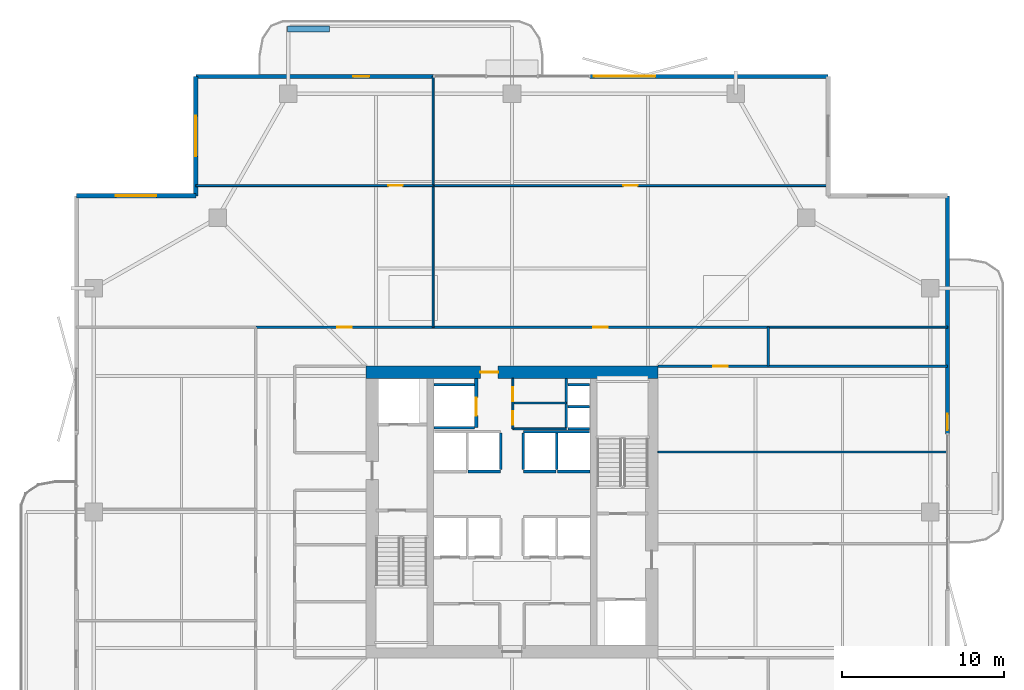
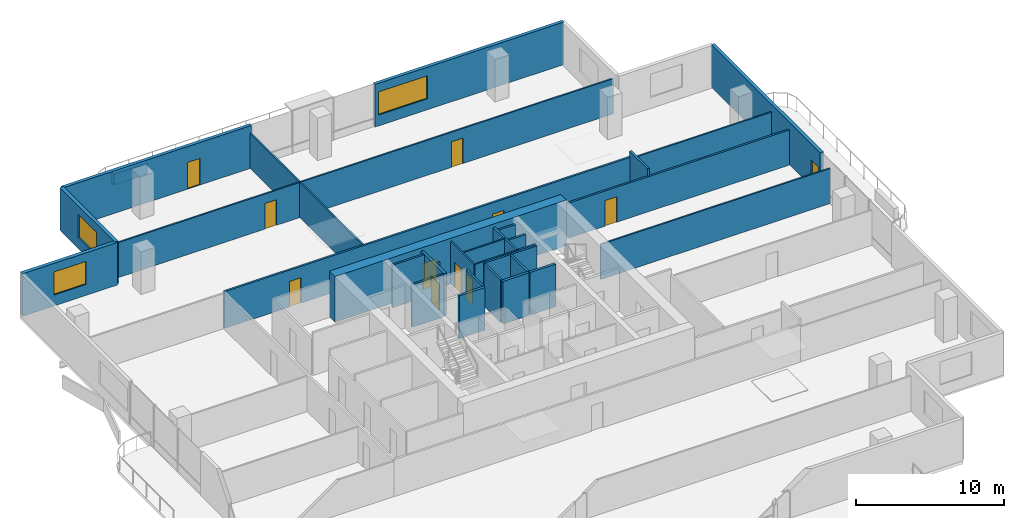
# One storey, part 19 of 24: 32 walls, 11 doors, 3 windows, 14 openings.
"""IFC4 building model written with IfcOpenShell, lengths in metres."""

from ifc_helpers import new_model, si_unit, direction, frame, frame_2d, origin, place, context, subcontext, project, spatial, rectangle, extrude, material, layer, layer_set, type_object, element, fill, save


model = new_model("IFC4")

# Units and contexts
model_context = context("Model", 3, precision=1e-05, world=origin(), true_north=direction((0.0, 1.0)))
body_context = subcontext(model_context, "Body", "Model", "MODEL_VIEW")
ifc_project = project(units=[si_unit("LENGTHUNIT", "METRE"), si_unit("AREAUNIT", "SQUARE_METRE"), si_unit("VOLUMEUNIT", "CUBIC_METRE"), si_unit("PLANEANGLEUNIT", "RADIAN"), si_unit("MASSUNIT", "GRAM", prefix="KILO")], contexts=[model_context])

# Site, building, storey
site_placement = place(None, origin())
site = spatial("IfcSite", under=ifc_project, at=site_placement, CompositionType="ELEMENT")
building_placement = place(site_placement, origin())
building = spatial("IfcBuilding", under=site, at=building_placement, Name="Belovzor Exchange Tower", CompositionType="ELEMENT")
storey_placement = place(building_placement, frame((0.0, 0.0, 222.449951171875)))
storey = spatial("IfcBuildingStorey", under=building, at=storey_placement, Name="L55", CompositionType="ELEMENT", Elevation=222.449951171875)

# Wall, opening, door
ifc_material_1 = material(Name="Acoustic Plasterboard on Galvanised Studs", Category="gypsum")
ifc_layer_1 = layer(ifc_material_1, 0.1201171875)
ifc_layer_set_1 = layer_set([ifc_layer_1], Name="Acoustic Plasterboard on Galvanised Studs")
wall_type_1 = type_object("IfcWallType", Name="Acoustic Double-Stud Partition Wall 120", PredefinedType="PARTITIONING", material=ifc_layer_set_1)
wall_1_placement = place(storey_placement, frame((9.300048828125, 48.93505859375, 0.0), z_axis=(0.0, 0.0, 1.0), x_axis=(1.0, 0.0, 0.0)))
wall_1 = element("IfcWall", 1, at=wall_1_placement, inside=storey, type_object=wall_type_1, Name="W-P120 Partition Wall W-L55-NHDIV-0", PredefinedType="PARTITIONING", context=body_context, shape_type="SweptSolid", body=[
    extrude(rectangle(XDim=14.639892578125, YDim=0.1201171875, at=frame_2d((7.31982421875, 0.0))), origin(), (0.0, 0.0, 1.0), 2.885009765625),
])
opening_1_placement = place(wall_1_placement, frame((11.873046875, 0.0, 0.0)))
opening_1 = element("IfcOpeningElement", 2, at=opening_1_placement, cuts=wall_1, Name="Opening D-INT-090", PredefinedType="OPENING", context=body_context, shape_type="SweptSolid", body=[
    extrude(rectangle(XDim=0.89990234375, YDim=2.10009765625, at=frame_2d((0.449951171875, 1.050048828125))), frame((0.0, 0.070068359375, 0.0), z_axis=(0.0, -1.0, 0.0), x_axis=(1.0, 0.0, 0.0)), (0.0, 0.0, 1.0), 0.14013671875),
])
ifc_material_2 = material(Name="Veneered Hardwood Acoustic Leaf", Category="wood")
door_type_1 = type_object("IfcDoorType", Name="Trading Suite Acoustic Single Door 900x2100", OperationType="NOTDEFINED", PredefinedType="DOOR", material=ifc_material_2)
door_1_placement = place(opening_1_placement, origin())
door_1 = element("IfcDoor", 3, at=door_1_placement, inside=storey, type_object=door_type_1, Name="D-INT-090 Trading Suite Acoustic Single Door 900x2100", OperationType="SINGLE_SWING_RIGHT", OverallHeight=2.10009765625, OverallWidth=0.89990234375, PredefinedType="DOOR", context=body_context, shape_type="SweptSolid", body=[
    extrude(rectangle(XDim=0.89990234375, YDim=2.10009765625, at=frame_2d((0.449951171875, 1.050048828125))), frame((0.0, 0.02490234375, 0.0), z_axis=(0.0, -1.0, 0.0), x_axis=(1.0, 0.0, 0.0)), (0.0, 0.0, 1.0), 0.050048828125),
])
fill(opening_1, door_1)

# Wall
wall_2_placement = place(storey_placement, frame((23.93994140625, 40.199951171875, 0.0), z_axis=(0.0, 0.0, 1.0), x_axis=(0.0, 1.0, 0.0)))
element("IfcWall", 4, at=wall_2_placement, inside=storey, type_object=wall_type_1, Name="W-P120 Partition Wall W-L55-NDIV-1", PredefinedType="PARTITIONING", context=body_context, shape_type="SweptSolid", body=[
    extrude(rectangle(XDim=15.469970703125, YDim=0.1201171875, at=frame_2d((7.73486328125, 0.0))), origin(), (0.0, 0.0, 1.0), 2.885009765625),
])

# Wall, opening, door
wall_3_placement = place(storey_placement, frame((23.93994140625, 48.93505859375, 0.0), z_axis=(0.0, 0.0, 1.0), x_axis=(1.0, 0.0, 0.0)))
wall_3 = element("IfcWall", 5, at=wall_3_placement, inside=storey, type_object=wall_type_1, Name="W-P120 Partition Wall W-L55-NHDIV-1", PredefinedType="PARTITIONING", context=body_context, shape_type="SweptSolid", body=[
    extrude(rectangle(XDim=24.360107421875, YDim=0.1201171875, at=frame_2d((12.18017578125, 0.0))), origin(), (0.0, 0.0, 1.0), 2.885009765625),
])
opening_2_placement = place(wall_3_placement, frame((11.72998046875, 0.0, 0.0)))
opening_2 = element("IfcOpeningElement", 6, at=opening_2_placement, cuts=wall_3, Name="Opening D-INT-090", PredefinedType="OPENING", context=body_context, shape_type="SweptSolid", body=[
    extrude(rectangle(XDim=0.89990234375, YDim=2.10009765625, at=frame_2d((0.449951171875, 1.050048828125))), frame((0.0, 0.070068359375, 0.0), z_axis=(0.0, -1.0, 0.0), x_axis=(1.0, 0.0, 0.0)), (0.0, 0.0, 1.0), 0.14013671875),
])
door_2_placement = place(opening_2_placement, origin())
door_2 = element("IfcDoor", 7, at=door_2_placement, inside=storey, type_object=door_type_1, Name="D-INT-090 Trading Suite Acoustic Single Door 900x2100", OperationType="SINGLE_SWING_RIGHT", OverallHeight=2.10009765625, OverallWidth=0.89990234375, PredefinedType="DOOR", context=body_context, shape_type="SweptSolid", body=[
    extrude(rectangle(XDim=0.89990234375, YDim=2.10009765625, at=frame_2d((0.449951171875, 1.050048828125))), frame((0.0, 0.02490234375, 0.0), z_axis=(0.0, -1.0, 0.0), x_axis=(1.0, 0.0, 0.0)), (0.0, 0.0, 1.0), 0.050048828125),
])
fill(opening_2, door_2)

# Walls
wall_4_placement = place(storey_placement, frame((37.800048828125, 32.5, 0.0), z_axis=(0.0, 0.0, 1.0), x_axis=(1.0, 0.0, 0.0)))
element("IfcWall", 8, at=wall_4_placement, inside=storey, type_object=wall_type_1, Name="W-P120 Partition Wall W-L55-EDIV-2", PredefinedType="PARTITIONING", context=body_context, shape_type="SweptSolid", body=[
    extrude(rectangle(XDim=17.869873046875, YDim=0.1201171875, at=frame_2d((8.93505859375, 0.0))), origin(), (0.0, 0.0, 1.0), 2.885009765625),
])
wall_5_placement = place(storey_placement, frame((44.60009765625, 40.199951171875, 0.0), z_axis=(0.0, 0.0, 1.0), x_axis=(1.0, 0.0, 0.0)))
element("IfcWall", 9, at=wall_5_placement, inside=storey, type_object=wall_type_1, Name="W-P120 Partition Wall W-L55-END-NE", PredefinedType="PARTITIONING", context=body_context, shape_type="SweptSolid", body=[
    extrude(rectangle(XDim=11.06982421875, YDim=0.1201171875, at=frame_2d((5.534912109375, 0.0))), origin(), (0.0, 0.0, 1.0), 2.885009765625),
])

# Wall, openings, doors
ifc_material_3 = material(Name="Fire-Rated Plasterboard on Galvanised Studs", Category="gypsum")
ifc_layer_2 = layer(ifc_material_3, 0.1201171875)
ifc_layer_set_2 = layer_set([ifc_layer_2], Name="Fire-Rated Plasterboard on Galvanised Studs")
wall_type_2 = type_object("IfcWallType", Name="Fire-Rated Double-Stud Partition Wall 120", PredefinedType="PARTITIONING", material=ifc_layer_set_2)
wall_6_placement = place(storey_placement, frame((28.85009765625, 33.925048828125, 0.0), z_axis=(0.0, 0.0, 1.0), x_axis=(0.0, 1.0, 0.0)))
wall_6 = element("IfcWall", 10, at=wall_6_placement, inside=storey, type_object=wall_type_2, Name="W-P120F Partition Wall W-CRV-L55-W", PredefinedType="PARTITIONING", context=body_context, shape_type="SweptSolid", body=[
    extrude(rectangle(XDim=3.125, YDim=0.1201171875, at=frame_2d((1.5625, 0.0))), origin(), (0.0, 0.0, 1.0), 3.5),
])
opening_3_placement = place(wall_6_placement, frame((0.25, 0.0, 0.0)))
opening_3 = element("IfcOpeningElement", 11, at=opening_3_placement, cuts=wall_6, Name="Opening D-FD60-085", PredefinedType="OPENING", context=body_context, shape_type="SweptSolid", body=[
    extrude(rectangle(XDim=0.85009765625, YDim=2.10009765625, at=frame_2d((0.425048828125, 1.050048828125))), frame((0.0, 0.070068359375, 0.0), z_axis=(0.0, -1.0, 0.0), x_axis=(1.0, 0.0, 0.0)), (0.0, 0.0, 1.0), 0.14013671875),
])
opening_4_placement = place(wall_6_placement, frame((1.719970703125, 0.0, 0.0)))
opening_4 = element("IfcOpeningElement", 12, at=opening_4_placement, cuts=wall_6, Name="Opening D-FD60-085", PredefinedType="OPENING", context=body_context, shape_type="SweptSolid", body=[
    extrude(rectangle(XDim=0.85009765625, YDim=2.10009765625, at=frame_2d((0.425048828125, 1.050048828125))), frame((0.0, 0.070068359375, 0.0), z_axis=(0.0, -1.0, 0.0), x_axis=(1.0, 0.0, 0.0)), (0.0, 0.0, 1.0), 0.14013671875),
])
ifc_material_4 = material(Name="Fire-Rated Steel Access Leaf", Category="steel")
door_type_2 = type_object("IfcDoorType", Name="Riser & Meter Closet Access Fire Door 850x2100", OperationType="NOTDEFINED", PredefinedType="DOOR", material=ifc_material_4)
door_3_placement = place(opening_3_placement, origin())
door_3 = element("IfcDoor", 13, at=door_3_placement, inside=storey, type_object=door_type_2, Name="D-FD60-085 Riser & Meter Closet Access Fire Door 850x2100", OperationType="SINGLE_SWING_LEFT", OverallHeight=2.10009765625, OverallWidth=0.85009765625, PredefinedType="DOOR", context=body_context, shape_type="SweptSolid", body=[
    extrude(rectangle(XDim=0.85009765625, YDim=2.10009765625, at=frame_2d((0.425048828125, 1.050048828125))), frame((0.0, 0.02490234375, 0.0), z_axis=(0.0, -1.0, 0.0), x_axis=(1.0, 0.0, 0.0)), (0.0, 0.0, 1.0), 0.050048828125),
])
fill(opening_3, door_3)
door_4_placement = place(opening_4_placement, origin())
door_4 = element("IfcDoor", 14, at=door_4_placement, inside=storey, type_object=door_type_2, Name="D-FD60-085 Riser & Meter Closet Access Fire Door 850x2100", OperationType="SINGLE_SWING_RIGHT", OverallHeight=2.10009765625, OverallWidth=0.85009765625, PredefinedType="DOOR", context=body_context, shape_type="SweptSolid", body=[
    extrude(rectangle(XDim=0.85009765625, YDim=2.10009765625, at=frame_2d((0.425048828125, 1.050048828125))), frame((0.0, 0.02490234375, 0.0), z_axis=(0.0, -1.0, 0.0), x_axis=(1.0, 0.0, 0.0)), (0.0, 0.0, 1.0), 0.050048828125),
])
fill(opening_4, door_4)

# Walls
for number, where, z_axis, x_axis, name in (
    (15, (28.85009765625, 35.52490234375, 0.0), (0.0, 0.0, 1.0), (1.0, 0.0, 0.0), "W-P120F Partition Wall W-CRV-L55-M"),
    (16, (28.85009765625, 33.925048828125, 0.0), (0.0, 0.0, 1.0), (1.0, 0.0, 0.0), "W-P120F Partition Wall W-CRV-L55-S"),
):
    element("IfcWall", number, at=place(storey_placement, frame(where, z_axis=z_axis, x_axis=x_axis)), inside=storey, type_object=wall_type_2, Name=name, PredefinedType="PARTITIONING", context=body_context, shape_type="SweptSolid", body=[
        extrude(rectangle(XDim=3.2998046875, YDim=0.1201171875, at=frame_2d((1.64990234375, 0.0))), origin(), (0.0, 0.0, 1.0), 3.5),
    ])
ifc_material_5 = material(Name="Fire-Rated Gypsum Block and Mineral Wool", Category="gypsum")
ifc_layer_3 = layer(ifc_material_5, 0.14990234375)
ifc_layer_set_3 = layer_set([ifc_layer_3], Name="Fire-Rated Gypsum Block and Mineral Wool")
wall_type_3 = type_object("IfcWallType", Name="Fire-Rated Gypsum Block Corridor Wall 150", PredefinedType="PARTITIONING", material=ifc_layer_set_3)
wall_7_placement = place(storey_placement, frame((44.60009765625, 37.800048828125, 0.0), z_axis=(0.0, 0.0, 1.0), x_axis=(0.0, 1.0, 0.0)))
element("IfcWall", 17, at=wall_7_placement, inside=storey, type_object=wall_type_3, Name="W-P150 Partition Wall W-L55-END-EN", PredefinedType="PARTITIONING", context=body_context, shape_type="SweptSolid", body=[
    extrude(rectangle(XDim=2.39990234375, YDim=0.14990234375, at=frame_2d((1.199951171875, 0.0))), origin(), (0.0, 0.0, 1.0), 3.5),
])

# Wall, opening, door
wall_8_placement = place(storey_placement, frame((37.800048828125, 37.800048828125, 0.0), z_axis=(0.0, 0.0, 1.0), x_axis=(1.0, 0.0, 0.0)))
wall_8 = element("IfcWall", 18, at=wall_8_placement, inside=storey, type_object=wall_type_3, Name="W-P150 Partition Wall W-L55-CN-IN", PredefinedType="PARTITIONING", context=body_context, shape_type="SweptSolid", body=[
    extrude(rectangle(XDim=17.869873046875, YDim=0.14990234375, at=frame_2d((8.93505859375, 0.0))), origin(), (0.0, 0.0, 1.0), 2.885009765625),
])
opening_5_placement = place(wall_8_placement, frame((3.39990234375, 0.0, 0.0)))
opening_5 = element("IfcOpeningElement", 19, at=opening_5_placement, cuts=wall_8, Name="Opening D-INT-090", PredefinedType="OPENING", context=body_context, shape_type="SweptSolid", body=[
    extrude(rectangle(XDim=0.89990234375, YDim=2.10009765625, at=frame_2d((0.449951171875, 1.050048828125))), frame((0.0, 0.0849609375, 0.0), z_axis=(0.0, -1.0, 0.0), x_axis=(1.0, 0.0, 0.0)), (0.0, 0.0, 1.0), 0.169921875),
])
door_5_placement = place(opening_5_placement, origin())
door_5 = element("IfcDoor", 20, at=door_5_placement, inside=storey, type_object=door_type_1, Name="D-INT-090 Trading Suite Acoustic Single Door 900x2100", OperationType="SINGLE_SWING_RIGHT", OverallHeight=2.10009765625, OverallWidth=0.89990234375, PredefinedType="DOOR", context=body_context, shape_type="SweptSolid", body=[
    extrude(rectangle(XDim=0.89990234375, YDim=2.10009765625, at=frame_2d((0.449951171875, 1.050048828125))), frame((0.0, 0.02490234375, 0.0), z_axis=(0.0, -1.0, 0.0), x_axis=(1.0, 0.0, 0.0)), (0.0, 0.0, 1.0), 0.050048828125),
])
fill(opening_5, door_5)

# Wall, openings, doors
wall_9_placement = place(storey_placement, frame((13.0, 40.199951171875, 0.0), z_axis=(0.0, 0.0, 1.0), x_axis=(1.0, 0.0, 0.0)))
wall_9 = element("IfcWall", 21, at=wall_9_placement, inside=storey, type_object=wall_type_3, Name="W-P150 Partition Wall W-L55-CN", PredefinedType="PARTITIONING", context=body_context, shape_type="SweptSolid", body=[
    extrude(rectangle(XDim=31.60009765625, YDim=0.14990234375, at=frame_2d((15.800048828125, 0.0))), origin(), (0.0, 0.0, 1.0), 3.03515625),
])
opening_6_placement = place(wall_9_placement, frame((5.02001953125, 0.0, 0.0)))
opening_6 = element("IfcOpeningElement", 22, at=opening_6_placement, cuts=wall_9, Name="Opening D-INT-090", PredefinedType="OPENING", context=body_context, shape_type="SweptSolid", body=[
    extrude(rectangle(XDim=0.89990234375, YDim=2.10009765625, at=frame_2d((0.449951171875, 1.050048828125))), frame((0.0, 0.0849609375, 0.0), z_axis=(0.0, -1.0, 0.0), x_axis=(1.0, 0.0, 0.0)), (0.0, 0.0, 1.0), 0.169921875),
])
opening_7_placement = place(wall_9_placement, frame((20.820068359375, 0.0, 0.0)))
opening_7 = element("IfcOpeningElement", 23, at=opening_7_placement, cuts=wall_9, Name="Opening D-INT-090", PredefinedType="OPENING", context=body_context, shape_type="SweptSolid", body=[
    extrude(rectangle(XDim=0.89990234375, YDim=2.10009765625, at=frame_2d((0.449951171875, 1.050048828125))), frame((0.0, 0.0849609375, 0.0), z_axis=(0.0, -1.0, 0.0), x_axis=(1.0, 0.0, 0.0)), (0.0, 0.0, 1.0), 0.169921875),
])
door_6_placement = place(opening_6_placement, origin())
door_6 = element("IfcDoor", 24, at=door_6_placement, inside=storey, type_object=door_type_1, Name="D-INT-090 Trading Suite Acoustic Single Door 900x2100", OperationType="SINGLE_SWING_LEFT", OverallHeight=2.10009765625, OverallWidth=0.89990234375, PredefinedType="DOOR", context=body_context, shape_type="SweptSolid", body=[
    extrude(rectangle(XDim=0.89990234375, YDim=2.10009765625, at=frame_2d((0.449951171875, 1.050048828125))), frame((0.0, 0.02490234375, 0.0), z_axis=(0.0, -1.0, 0.0), x_axis=(1.0, 0.0, 0.0)), (0.0, 0.0, 1.0), 0.050048828125),
])
fill(opening_6, door_6)
door_7_placement = place(opening_7_placement, origin())
door_7 = element("IfcDoor", 25, at=door_7_placement, inside=storey, type_object=door_type_1, Name="D-INT-090 Trading Suite Acoustic Single Door 900x2100", OperationType="SINGLE_SWING_RIGHT", OverallHeight=2.10009765625, OverallWidth=0.89990234375, PredefinedType="DOOR", context=body_context, shape_type="SweptSolid", body=[
    extrude(rectangle(XDim=0.89990234375, YDim=2.10009765625, at=frame_2d((0.449951171875, 1.050048828125))), frame((0.0, 0.02490234375, 0.0), z_axis=(0.0, -1.0, 0.0), x_axis=(1.0, 0.0, 0.0)), (0.0, 0.0, 1.0), 0.050048828125),
])
fill(opening_7, door_7)

# Wall, opening, window
ifc_material_6 = material(Name="Precast concrete C40/50", Category="concrete")
ifc_layer_4 = layer(ifc_material_6, 0.280029296875)
ifc_layer_set_4 = layer_set([ifc_layer_4], Name="Precast concrete C40/50")
wall_type_4 = type_object("IfcWallType", Name="Precast Concrete Notched Corner Frame Wall 280", PredefinedType="SOLIDWALL", material=ifc_layer_set_4)
wall_10_placement = place(storey_placement, frame((1.929931640625, 48.300048828125, 0.0), z_axis=(0.0, 0.0, 1.0), x_axis=(1.0, 0.0, 0.0)))
wall_10 = element("IfcWall", 26, at=wall_10_placement, inside=storey, type_object=wall_type_4, Name="W-CRN280 Precast Concrete Notched Corner Frame Wall 280 L55", PredefinedType="SOLIDWALL", context=body_context, shape_type="SweptSolid", body=[
    extrude(rectangle(XDim=7.3701171875, YDim=0.280029296875, at=frame_2d((3.68505859375, 0.0))), origin(), (0.0, 0.0, 1.0), 3.5),
])
opening_8_placement = place(wall_10_placement, frame((2.43505859375, 0.0, 0.89990234375)))
opening_8 = element("IfcOpeningElement", 27, at=opening_8_placement, cuts=wall_10, Name="Opening WN-CRN250", PredefinedType="OPENING", context=body_context, shape_type="SweptSolid", body=[
    extrude(rectangle(XDim=2.5, YDim=1.89990234375, at=frame_2d((1.25, 0.949951171875))), frame((0.0, 0.14990234375, 0.0), z_axis=(0.0, -1.0, 0.0), x_axis=(1.0, 0.0, 0.0)), (0.0, 0.0, 1.0), 0.300048828125),
])
ifc_material_7 = material(Name="Thermally Broken Aluminium and Triple Glazing", Category="aluminium")
window_type_1 = type_object("IfcWindowType", Name="Streamline Moderne Corner Wrap Ribbon Window 2500x1900", PartitioningType="SINGLE_PANEL", PredefinedType="WINDOW", material=ifc_material_7)
window_1_placement = place(opening_8_placement, origin())
window_1 = element("IfcWindow", 28, at=window_1_placement, inside=storey, type_object=window_type_1, Name="WN-CRN250 Streamline Moderne Corner Wrap Ribbon Window 2500x1900", OverallHeight=1.89990234375, OverallWidth=2.5, PartitioningType="SINGLE_PANEL", PredefinedType="WINDOW", context=body_context, shape_type="SweptSolid", body=[
    extrude(rectangle(XDim=2.5, YDim=1.89990234375, at=frame_2d((1.25, 0.949951171875))), frame((0.0, 0.030029296875, 0.0), z_axis=(0.0, -1.0, 0.0), x_axis=(1.0, 0.0, 0.0)), (0.0, 0.0, 1.0), 0.06005859375),
])
fill(opening_8, window_1)

wall_11_placement = place(storey_placement, frame((9.300048828125, 48.300048828125, 0.0), z_axis=(0.0, 0.0, 1.0), x_axis=(0.0, 1.0, 0.0)))
wall_11 = element("IfcWall", 29, at=wall_11_placement, inside=storey, type_object=wall_type_4, Name="W-CRN280 Precast Concrete Notched Corner Frame Wall 280 L55", PredefinedType="SOLIDWALL", context=body_context, shape_type="SweptSolid", body=[
    extrude(rectangle(XDim=7.369873046875, YDim=0.280029296875, at=frame_2d((3.68505859375, 0.0))), origin(), (0.0, 0.0, 1.0), 3.5),
])
opening_9_placement = place(wall_11_placement, frame((2.43505859375, 0.0, 0.89990234375)))
opening_9 = element("IfcOpeningElement", 30, at=opening_9_placement, cuts=wall_11, Name="Opening WN-CRN250", PredefinedType="OPENING", context=body_context, shape_type="SweptSolid", body=[
    extrude(rectangle(XDim=2.5, YDim=1.89990234375, at=frame_2d((1.25, 0.949951171875))), frame((0.0, 0.14990234375, 0.0), z_axis=(0.0, -1.0, 0.0), x_axis=(1.0, 0.0, 0.0)), (0.0, 0.0, 1.0), 0.300048828125),
])
window_2_placement = place(opening_9_placement, origin())
window_2 = element("IfcWindow", 31, at=window_2_placement, inside=storey, type_object=window_type_1, Name="WN-CRN250 Streamline Moderne Corner Wrap Ribbon Window 2500x1900", OverallHeight=1.89990234375, OverallWidth=2.5, PartitioningType="SINGLE_PANEL", PredefinedType="WINDOW", context=body_context, shape_type="SweptSolid", body=[
    extrude(rectangle(XDim=2.5, YDim=1.89990234375, at=frame_2d((1.25, 0.949951171875))), frame((0.0, 0.030029296875, 0.0), z_axis=(0.0, -1.0, 0.0), x_axis=(1.0, 0.0, 0.0)), (0.0, 0.0, 1.0), 0.06005859375),
])
fill(opening_9, window_2)

# Wall, opening, door
ifc_material_8 = material(Name="Precast concrete C40/50", Category="concrete")
ifc_layer_5 = layer(ifc_material_8, 0.260009765625)
ifc_layer_set_5 = layer_set([ifc_layer_5], Name="Precast concrete C40/50")
wall_type_5 = type_object("IfcWallType", Name="Precast Concrete Perimeter Loggia Frame Wall 260", PredefinedType="SOLIDWALL", material=ifc_layer_set_5)
wall_12_placement = place(storey_placement, frame((9.300048828125, 55.669921875, 0.0), z_axis=(0.0, 0.0, 1.0), x_axis=(1.0, 0.0, 0.0)))
wall_12 = element("IfcWall", 32, at=wall_12_placement, inside=storey, type_object=wall_type_5, Name="W-EXT260 Precast Concrete Perimeter Loggia Frame Wall 260 L55", PredefinedType="SOLIDWALL", context=body_context, shape_type="SweptSolid", body=[
    extrude(rectangle(XDim=14.699951171875, YDim=0.260009765625, at=frame_2d((7.35009765625, 0.0))), origin(), (0.0, 0.0, 1.0), 3.5),
])
opening_10_placement = place(wall_12_placement, frame((9.694091796875, 0.0, 0.0)))
opening_10 = element("IfcOpeningElement", 33, at=opening_10_placement, cuts=wall_12, Name="Opening D-BAL100", PredefinedType="OPENING", context=body_context, shape_type="SweptSolid", body=[
    extrude(rectangle(XDim=1.0, YDim=2.199951171875, at=frame_2d((0.5, 1.10009765625))), frame((0.0, 0.139892578125, 0.0), z_axis=(0.0, -1.0, 0.0), x_axis=(1.0, 0.0, 0.0)), (0.0, 0.0, 1.0), 0.280029296875),
])
ifc_material_9 = material(Name="Thermally Broken Anodised Aluminium and Laminated Glass", Category="aluminium")
door_type_3 = type_object("IfcDoorType", Name="Planted Loggia Terrace Glazed Door 1000x2200", OperationType="SINGLE_SWING_LEFT", PredefinedType="DOOR", material=ifc_material_9)
door_8_placement = place(opening_10_placement, origin())
door_8 = element("IfcDoor", 34, at=door_8_placement, inside=storey, type_object=door_type_3, Name="D-BAL100 Balcony Terrace Door L55 N", OperationType="SINGLE_SWING_RIGHT", OverallHeight=2.199951171875, OverallWidth=1.0, PredefinedType="DOOR", context=body_context, shape_type="SweptSolid", body=[
    extrude(rectangle(XDim=1.0, YDim=2.199951171875, at=frame_2d((0.5, 1.10009765625))), frame((0.0, 0.02490234375, 0.0), z_axis=(0.0, -1.0, 0.0), x_axis=(1.0, 0.0, 0.0)), (0.0, 0.0, 1.0), 0.050048828125),
])
fill(opening_10, door_8)

# Wall, opening, window
wall_13_placement = place(storey_placement, frame((33.60009765625, 55.669921875, 0.0), z_axis=(0.0, 0.0, 1.0), x_axis=(1.0, 0.0, 0.0)))
wall_13 = element("IfcWall", 35, at=wall_13_placement, inside=storey, type_object=wall_type_5, Name="W-EXT260 Precast Concrete Perimeter Loggia Frame Wall 260 L55", PredefinedType="SOLIDWALL", context=body_context, shape_type="SweptSolid", body=[
    extrude(rectangle(XDim=14.699951171875, YDim=0.260009765625, at=frame_2d((7.35009765625, 0.0))), origin(), (0.0, 0.0, 1.0), 3.5),
])
opening_11_placement = place(wall_13_placement, frame((0.25, 0.0, 0.89990234375)))
opening_11 = element("IfcOpeningElement", 36, at=opening_11_placement, cuts=wall_13, Name="Opening WN-RIB380", PredefinedType="OPENING", context=body_context, shape_type="SweptSolid", body=[
    extrude(rectangle(XDim=3.800048828125, YDim=1.89990234375, at=frame_2d((1.89990234375, 0.949951171875))), frame((0.0, 0.139892578125, 0.0), z_axis=(0.0, -1.0, 0.0), x_axis=(1.0, 0.0, 0.0)), (0.0, 0.0, 1.0), 0.280029296875),
])
ifc_material_10 = material(Name="Thermally Broken Aluminium and Triple Glazing", Category="aluminium")
window_type_2 = type_object("IfcWindowType", Name="Streamline Moderne Horizontal Ribbon Window 3800x1900", PartitioningType="SINGLE_PANEL", PredefinedType="WINDOW", material=ifc_material_10)
window_3_placement = place(opening_11_placement, origin())
window_3 = element("IfcWindow", 37, at=window_3_placement, inside=storey, type_object=window_type_2, Name="WN-RIB380 Streamline Moderne Horizontal Ribbon Window 3800x1900", OverallHeight=1.89990234375, OverallWidth=3.800048828125, PartitioningType="SINGLE_PANEL", PredefinedType="WINDOW", context=body_context, shape_type="SweptSolid", body=[
    extrude(rectangle(XDim=3.800048828125, YDim=1.89990234375, at=frame_2d((1.89990234375, 0.949951171875))), frame((0.0, 0.030029296875, 0.0), z_axis=(0.0, -1.0, 0.0), x_axis=(1.0, 0.0, 0.0)), (0.0, 0.0, 1.0), 0.06005859375),
])
fill(opening_11, window_3)

# Wall, opening, door
wall_14_placement = place(storey_placement, frame((55.669921875, 48.300048828125, 0.0), z_axis=(0.0, 0.0, 1.0), x_axis=(0.0, -1.0, 0.0)))
wall_14 = element("IfcWall", 38, at=wall_14_placement, inside=storey, type_object=wall_type_5, Name="W-EXT260 Precast Concrete Perimeter Loggia Frame Wall 260 L55", PredefinedType="SOLIDWALL", context=body_context, shape_type="SweptSolid", body=[
    extrude(rectangle(XDim=14.699951171875, YDim=0.260009765625, at=frame_2d((7.35009765625, 0.0))), origin(), (0.0, 0.0, 1.0), 3.5),
])
opening_12_placement = place(wall_14_placement, frame((13.449951171875, 0.0, 0.0)))
opening_12 = element("IfcOpeningElement", 39, at=opening_12_placement, cuts=wall_14, Name="Opening D-BAL100", PredefinedType="OPENING", context=body_context, shape_type="SweptSolid", body=[
    extrude(rectangle(XDim=1.0, YDim=2.199951171875, at=frame_2d((0.5, 1.10009765625))), frame((0.0, 0.139892578125, 0.0), z_axis=(0.0, -1.0, 0.0), x_axis=(1.0, 0.0, 0.0)), (0.0, 0.0, 1.0), 0.280029296875),
])
door_9_placement = place(opening_12_placement, origin())
door_9 = element("IfcDoor", 40, at=door_9_placement, inside=storey, type_object=door_type_3, Name="D-BAL100 Balcony Terrace Door L55 E", OperationType="SINGLE_SWING_LEFT", OverallHeight=2.199951171875, OverallWidth=1.0, PredefinedType="DOOR", context=body_context, shape_type="SweptSolid", body=[
    extrude(rectangle(XDim=1.0, YDim=2.199951171875, at=frame_2d((0.5, 1.10009765625))), frame((0.0, 0.02490234375, 0.0), z_axis=(0.0, -1.0, 0.0), x_axis=(1.0, 0.0, 0.0)), (0.0, 0.0, 1.0), 0.050048828125),
])
fill(opening_12, door_9)

# Walls
ifc_material_11 = material(Name="Precast concrete C40/50", Category="concrete")
ifc_layer_6 = layer(ifc_material_11, 0.35009765625)
ifc_layer_set_6 = layer_set([ifc_layer_6], Name="Precast concrete C40/50")
wall_type_6 = type_object("IfcWallType", Name="Precast Concrete Structural Tree Planter Trough 350", PredefinedType="PARAPET", material=ifc_layer_set_6)
wall_15_placement = place(storey_placement, frame((14.949951171875, 58.60009765625, 0.0), z_axis=(0.0, 0.0, 1.0), x_axis=(1.0, 0.0, 0.0)))
element("IfcWall", 41, at=wall_15_placement, inside=storey, type_object=wall_type_6, Name="PT-350 Precast Concrete Structural Tree Planter Trough 350 L55", PredefinedType="PARAPET", context=body_context, shape_type="SweptSolid", body=[
    extrude(rectangle(XDim=2.60009765625, YDim=0.35009765625, at=frame_2d((1.300048828125, 0.0))), origin(), (0.0, 0.0, 1.0), 0.900146484375),
])
ifc_material_12 = material(Name="Concrete C50/60", Category="concrete")
ifc_layer_7 = layer(ifc_material_12, 0.14990234375)
ifc_layer_set_7 = layer_set([ifc_layer_7], Name="Concrete C50/60")
wall_type_7 = type_object("IfcWallType", Name="Reinforced Concrete Core Riser Shear Wall 150", PredefinedType="SHEAR", material=ifc_layer_set_7)
wall_16_placement = place(storey_placement, frame((32.14990234375, 34.0, 0.0), z_axis=(0.0, 0.0, 1.0), x_axis=(0.0, 1.0, 0.0)))
element("IfcWall", 42, at=wall_16_placement, inside=storey, type_object=wall_type_7, Name="W-C150S Core Shaft Wall W-RSR-L55-E", PredefinedType="SHEAR", context=body_context, shape_type="SweptSolid", body=[
    extrude(rectangle(XDim=3.050048828125, YDim=0.14990234375, at=frame_2d((1.52490234375, 0.0))), origin(), (0.0, 0.0, 1.0), 3.5),
])
for number, where, z_axis, x_axis, name in (
    (43, (32.25, 33.925048828125, 0.0), (0.0, 0.0, 1.0), (1.0, 0.0, 0.0), "W-C150S Core Shaft Wall W-RSR-L55-S"),
    (44, (32.25, 35.300048828125, 0.0), (0.0, 0.0, 1.0), (1.0, 0.0, 0.0), "W-C150S Core Shaft Wall W-RSR-L55-M"),
):
    element("IfcWall", number, at=place(storey_placement, frame(where, z_axis=z_axis, x_axis=x_axis)), inside=storey, type_object=wall_type_7, Name=name, PredefinedType="SHEAR", context=body_context, shape_type="SweptSolid", body=[
        extrude(rectangle(XDim=1.330078125, YDim=0.14990234375, at=frame_2d((0.6650390625, 0.0))), origin(), (0.0, 0.0, 1.0), 3.5),
    ])
for number, where, z_axis, x_axis, name in (
    (45, (24.0, 34.0, 0.0), (0.0, 0.0, 1.0), (1.0, 0.0, 0.0), "W-C150S Core Shaft Wall W-SH-L55-SL-01S"),
    (46, (24.0, 36.64990234375, 0.0), (0.0, 0.0, 1.0), (1.0, 0.0, 0.0), "W-C150S Core Shaft Wall W-SH-L55-SL-01N"),
):
    element("IfcWall", number, at=place(storey_placement, frame(where, z_axis=z_axis, x_axis=x_axis)), inside=storey, type_object=wall_type_7, Name=name, PredefinedType="SHEAR", context=body_context, shape_type="SweptSolid", body=[
        extrude(rectangle(XDim=2.47998046875, YDim=0.14990234375, at=frame_2d((1.239990234375, 0.0))), origin(), (0.0, 0.0, 1.0), 3.5),
    ])
wall_17_placement = place(storey_placement, frame((32.25, 36.64990234375, 0.0), z_axis=(0.0, 0.0, 1.0), x_axis=(1.0, 0.0, 0.0)))
element("IfcWall", 47, at=wall_17_placement, inside=storey, type_object=wall_type_7, Name="W-C150S Core Shaft Wall W-RSR-L55-N", PredefinedType="SHEAR", context=body_context, shape_type="SweptSolid", body=[
    extrude(rectangle(XDim=1.330078125, YDim=0.14990234375, at=frame_2d((0.6650390625, 0.0))), origin(), (0.0, 0.0, 1.0), 3.5),
])
wall_18_placement = place(storey_placement, frame((29.5, 33.760009765625, 0.0), z_axis=(0.0, 0.0, 1.0), x_axis=(1.0, 0.0, 0.0)))
element("IfcWall", 48, at=wall_18_placement, inside=storey, type_object=wall_type_7, Name="W-C150S Core Shaft Wall W-SHB-L55-PLH-NE", PredefinedType="SHEAR", context=body_context, shape_type="SweptSolid", body=[
    extrude(rectangle(XDim=4.080078125, YDim=0.14990234375, at=frame_2d((2.0400390625, 0.0))), origin(), (0.0, 0.0, 1.0), 3.5),
])
for number, where, z_axis, x_axis, name in (
    (49, (28.10009765625, 31.419921875, 0.0), (0.0, 0.0, 1.0), (0.0, 1.0, 0.0), "W-C150S Core Shaft Wall W-SHD-L55-PLH-2"),
    (50, (29.5, 31.419921875, 0.0), (0.0, 0.0, 1.0), (0.0, 1.0, 0.0), "W-C150S Core Shaft Wall W-SHD-L55-PLH-3"),
    (51, (31.550048828125, 31.419921875, 0.0), (0.0, 0.0, 1.0), (0.0, 1.0, 0.0), "W-C150S Core Shaft Wall W-SHD-L55-PLH-4"),
):
    element("IfcWall", number, at=place(storey_placement, frame(where, z_axis=z_axis, x_axis=x_axis)), inside=storey, type_object=wall_type_7, Name=name, PredefinedType="SHEAR", context=body_context, shape_type="SweptSolid", body=[
        extrude(rectangle(XDim=2.239990234375, YDim=0.14990234375, at=frame_2d((1.1201171875, 0.0))), origin(), (0.0, 0.0, 1.0), 3.5),
    ])

# Wall, opening, door
ifc_material_13 = material(Name="Concrete C50/60", Category="concrete")
ifc_layer_8 = layer(ifc_material_13, 0.199951171875)
ifc_layer_set_8 = layer_set([ifc_layer_8], Name="Concrete C50/60")
wall_type_8 = type_object("IfcWallType", Name="Reinforced Concrete Core Shaft Shear Wall 200", PredefinedType="SHEAR", material=ifc_layer_set_8)
wall_19_placement = place(storey_placement, frame((26.60009765625, 34.0, 0.0), z_axis=(0.0, 0.0, 1.0), x_axis=(0.0, 1.0, 0.0)))
wall_19 = element("IfcWall", 52, at=wall_19_placement, inside=storey, type_object=wall_type_8, Name="W-C200S Core Shaft Wall W-SH-L55-SL-01", PredefinedType="SHEAR", context=body_context, shape_type="SweptSolid", body=[
    extrude(rectangle(XDim=3.050048828125, YDim=0.199951171875, at=frame_2d((1.52490234375, 0.0))), origin(), (0.0, 0.0, 1.0), 3.5),
])
opening_13_placement = place(wall_19_placement, frame((0.75, 0.0, 0.0)))
opening_13 = element("IfcOpeningElement", 53, at=opening_13_placement, cuts=wall_19, Name="Opening LD-110", PredefinedType="OPENING", context=body_context, shape_type="SweptSolid", body=[
    extrude(rectangle(XDim=1.10009765625, YDim=2.14990234375, at=frame_2d((0.550048828125, 1.074951171875))), frame((0.0, 0.10986328125, 0.0), z_axis=(0.0, -1.0, 0.0), x_axis=(1.0, 0.0, 0.0)), (0.0, 0.0, 1.0), 0.219970703125),
])
ifc_material_14 = material(Name="Stainless Steel Grade 304", Category="steel")
door_type_4 = type_object("IfcDoorType", Name="Automated Stainless Steel Lift Landing Door 1100x2150", OperationType="SLIDING_TO_RIGHT", PredefinedType="DOOR", material=ifc_material_14)
door_10_placement = place(opening_13_placement, origin())
door_10 = element("IfcDoor", 54, at=door_10_placement, inside=storey, type_object=door_type_4, Name="LD-110 Automated Stainless Steel Lift Landing Door 1100x2150", OperationType="SLIDING_TO_RIGHT", OverallHeight=2.14990234375, OverallWidth=1.10009765625, PredefinedType="DOOR", context=body_context, shape_type="SweptSolid", body=[
    extrude(rectangle(XDim=1.10009765625, YDim=2.14990234375, at=frame_2d((0.550048828125, 1.074951171875))), frame((0.0, 0.02490234375, 0.0), z_axis=(0.0, -1.0, 0.0), x_axis=(1.0, 0.0, 0.0)), (0.0, 0.0, 1.0), 0.050048828125),
])
fill(opening_13, door_10)

# Walls
for number, where, z_axis, x_axis, name in (
    (55, (26.10009765625, 31.300048828125, 0.0), (0.0, 0.0, 1.0), (1.0, 0.0, 0.0), "W-C200S Core Shaft Wall W-SH-L55-PL-H2"),
    (56, (29.5, 31.300048828125, 0.0), (0.0, 0.0, 1.0), (1.0, 0.0, 0.0), "W-C200S Core Shaft Wall W-SH-L55-PL-H3"),
    (57, (31.60009765625, 31.300048828125, 0.0), (0.0, 0.0, 1.0), (1.0, 0.0, 0.0), "W-C200S Core Shaft Wall W-SH-L55-PL-H4"),
):
    element("IfcWall", number, at=place(storey_placement, frame(where, z_axis=z_axis, x_axis=x_axis)), inside=storey, type_object=wall_type_8, Name=name, PredefinedType="SHEAR", context=body_context, shape_type="SweptSolid", body=[
        extrude(rectangle(XDim=2.0, YDim=0.199951171875, at=frame_2d((1.0, 0.0))), origin(), (0.0, 0.0, 1.0), 3.5),
    ])

# Wall, opening, door
ifc_material_15 = material(Name="Concrete C50/60", Category="concrete")
ifc_layer_9 = layer(ifc_material_15, 0.75)
ifc_layer_set_9 = layer_set([ifc_layer_9], Name="Concrete C50/60")
wall_type_9 = type_object("IfcWallType", Name="Reinforced Concrete Core Shear Wall 750", PredefinedType="SHEAR", material=ifc_layer_set_9)
wall_20_placement = place(storey_placement, frame((19.800048828125, 37.425048828125, 0.0), z_axis=(0.0, 0.0, 1.0), x_axis=(1.0, 0.0, 0.0)))
wall_20 = element("IfcWall", 58, at=wall_20_placement, inside=storey, type_object=wall_type_9, Name="CW-S075 Core Shear Wall L55 N", PredefinedType="SHEAR", context=body_context, shape_type="SweptSolid", body=[
    extrude(rectangle(XDim=18.0, YDim=0.75, at=frame_2d((9.0, 0.0))), origin(), (0.0, 0.0, 1.0), 3.75),
])
opening_14_placement = place(wall_20_placement, frame((7.050048828125, 0.0, 0.0)))
opening_14 = element("IfcOpeningElement", 59, at=opening_14_placement, cuts=wall_20, Name="Opening D-FD90-110", PredefinedType="OPENING", context=body_context, shape_type="SweptSolid", body=[
    extrude(rectangle(XDim=1.10009765625, YDim=2.14990234375, at=frame_2d((0.550048828125, 1.074951171875))), frame((0.0, 0.385009765625, 0.0), z_axis=(0.0, -1.0, 0.0), x_axis=(1.0, 0.0, 0.0)), (0.0, 0.0, 1.0), 0.77001953125),
])
ifc_material_16 = material(Name="Fire-Rated Galvanised Steel Leaf", Category="steel")
door_type_5 = type_object("IfcDoorType", Name="Protected Escape Vestibule Fire Door 1100x2150", OperationType="NOTDEFINED", PredefinedType="DOOR", material=ifc_material_16)
door_11_placement = place(opening_14_placement, origin())
door_11 = element("IfcDoor", 60, at=door_11_placement, inside=storey, type_object=door_type_5, Name="D-FD90-110 Protected Escape Vestibule Fire Door 1100x2150", OperationType="SINGLE_SWING_RIGHT", OverallHeight=2.14990234375, OverallWidth=1.10009765625, PredefinedType="DOOR", context=body_context, shape_type="SweptSolid", body=[
    extrude(rectangle(XDim=1.10009765625, YDim=2.14990234375, at=frame_2d((0.550048828125, 1.074951171875))), frame((0.0, 0.02490234375, 0.0), z_axis=(0.0, -1.0, 0.0), x_axis=(1.0, 0.0, 0.0)), (0.0, 0.0, 1.0), 0.050048828125),
])
fill(opening_14, door_11)

save(model, "model.ifc")
